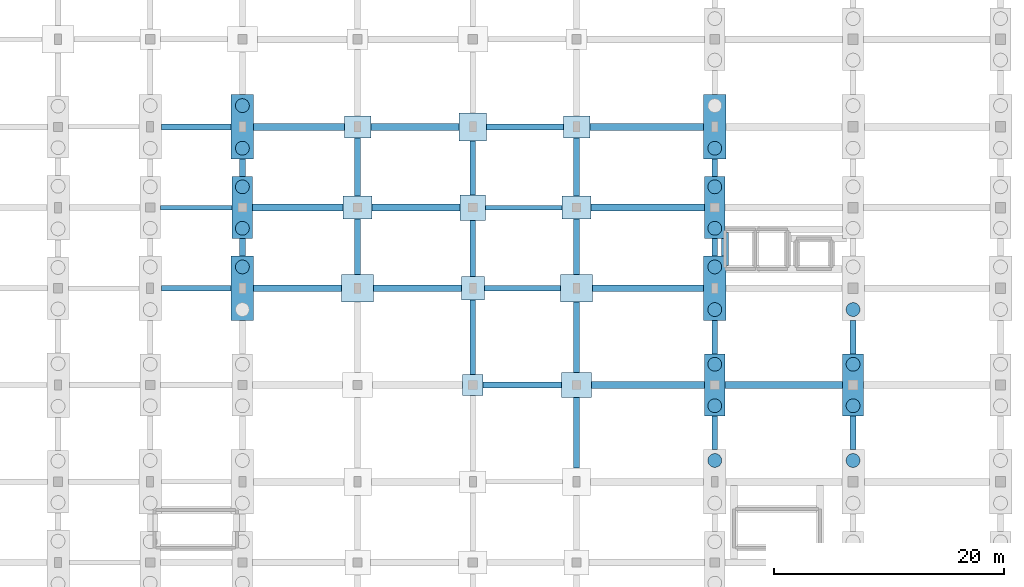
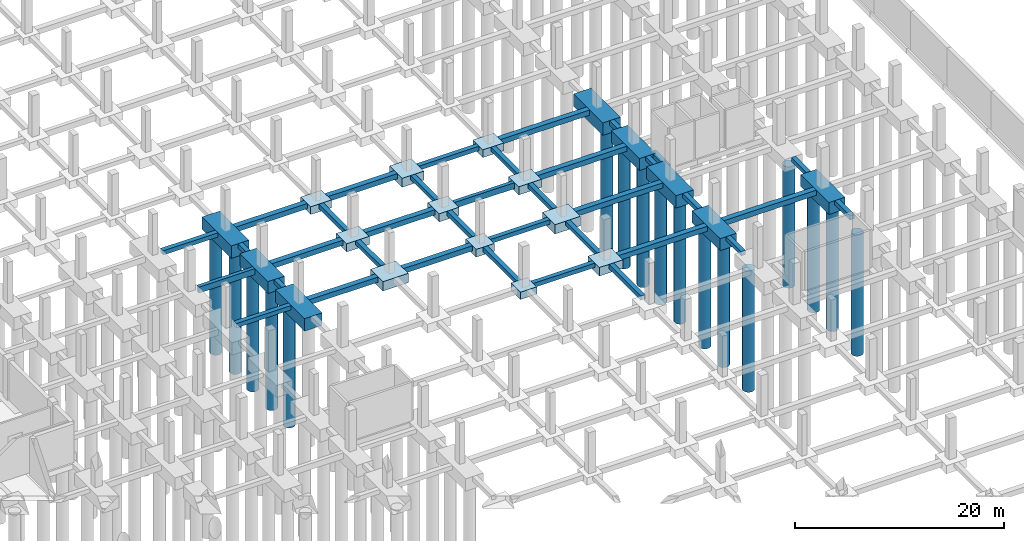
# One storey, part 21 of 50: 55 footings, 17 piles.
"""IFC4 building model written with IfcOpenShell, lengths in metres."""

from ifc_helpers import new_model, si_unit, direction, frame, origin, origin_2d, place, context, subcontext, project, spatial, polyline, rectangle, circle, outline, extrude, material, material_profile, profile_set, type_object, element, save


model = new_model("IFC4")

# Units and contexts
model_context = context("Model", 3, precision=1e-05, world=origin(), true_north=direction((0.0, 1.0)))
body_context = subcontext(model_context, "Body", "Model", "MODEL_VIEW")
ifc_project = project(units=[si_unit("LENGTHUNIT", "METRE"), si_unit("AREAUNIT", "SQUARE_METRE"), si_unit("VOLUMEUNIT", "CUBIC_METRE"), si_unit("PLANEANGLEUNIT", "RADIAN"), si_unit("MASSUNIT", "GRAM", prefix="KILO")], contexts=[model_context])

# Site, building, storey
site_placement = place(None, origin())
site = spatial("IfcSite", under=ifc_project, at=site_placement, CompositionType="ELEMENT")
building_placement = place(site_placement, origin())
building = spatial("IfcBuilding", under=site, at=building_placement, Name="Vekula Escarpment Museum", CompositionType="ELEMENT")
storey_placement = place(building_placement, frame((0.0, 0.0, -4.800048828125)))
storey = spatial("IfcBuildingStorey", under=building, at=storey_placement, Name="B1", CompositionType="ELEMENT", Elevation=-4.800048828125)

# Footings
ifc_material_1 = material(Name="Concrete C35/45", Category="concrete")
footing_type_1 = type_object("IfcFootingType", Name="FB-STRIP-600", PredefinedType="STRIP_FOOTING", material=ifc_material_1)
footing_1_placement = place(storey_placement, frame((0.0, 0.0, -0.599853515625)))
element("IfcFooting", 1, at=footing_1_placement, inside=storey, type_object=footing_type_1, Name="Lift Shaft Strip Footing LF-01 W", PredefinedType="STRIP_FOOTING", context=body_context, shape_type="SweptSolid", body=[
    extrude(outline(polyline([(168.179931640625, 78.384033203125), (167.97900390625, 78.384033203125), (167.97900390625, 79.2041015625), (167.580078125, 79.2041015625), (167.580078125, 80.696044921875), (167.904052734375, 80.696044921875), (167.904052734375, 81.216064453125), (168.179931640625, 81.216064453125), (168.179931640625, 78.384033203125)])), origin(), (0.0, 0.0, 1.0), 0.599853515625),
])
ifc_material_2 = material(Name="Concrete C35/45", Category="concrete")
ifc_material_profile_1 = material_profile(ifc_material_2, rectangle(XDim=0.39990234375, YDim=0.699951171875, at=origin_2d()), Name="RC 400x700")
ifc_profile_set_1 = profile_set([ifc_material_profile_1], Name="Concrete C35/45")
footing_type_2 = type_object("IfcFootingType", Name="FB-TIE-400x700", PredefinedType="FOOTING_BEAM", material=ifc_profile_set_1)
footing_2_placement = place(storey_placement, frame((118.89990234375, 83.39990234375, -0.349853515625), z_axis=(1.0, 0.0, 0.0), x_axis=(0.0, 1.0, 0.0)))
element("IfcFooting", 2, at=footing_2_placement, inside=storey, type_object=footing_type_2, Name="Foundation Tie Beam 249", PredefinedType="FOOTING_BEAM", context=body_context, shape_type="SweptSolid", body=[
    extrude(rectangle(XDim=0.39990234375, YDim=0.699951171875, at=origin_2d()), origin(), (0.0, 0.0, 1.0), 6.2001953125),
])
footing_3_placement = place(storey_placement, frame((147.10009765625, 83.39990234375, -0.349853515625), z_axis=(1.0, 0.0, 0.0), x_axis=(0.0, 1.0, 0.0)))
element("IfcFooting", 3, at=footing_3_placement, inside=storey, type_object=footing_type_2, Name="Foundation Tie Beam 252", PredefinedType="FOOTING_BEAM", context=body_context, shape_type="SweptSolid", body=[
    extrude(rectangle(XDim=0.39990234375, YDim=0.699951171875, at=origin_2d()), origin(), (0.0, 0.0, 1.0), 6.64990234375),
])
ifc_material_3 = material(Name="Concrete C35/45", Category="concrete")
ifc_material_profile_2 = material_profile(ifc_material_3, rectangle(XDim=0.5, YDim=0.5, at=origin_2d()), Name="RC 500x500")
ifc_profile_set_2 = profile_set([ifc_material_profile_2], Name="Concrete C35/45")
footing_type_3 = type_object("IfcFootingType", Name="FB-TIE-500x500", PredefinedType="FOOTING_BEAM", material=ifc_profile_set_2)
footing_4_placement = place(storey_placement, frame((146.89990234375, 68.0, -0.25), z_axis=(1.0, 0.0, 0.0), x_axis=(0.0, 1.0, 0.0)))
element("IfcFooting", 4, at=footing_4_placement, inside=storey, type_object=footing_type_3, Name="Foundation Tie Beam 206", PredefinedType="FOOTING_BEAM", context=body_context, shape_type="SweptSolid", body=[
    extrude(rectangle(XDim=0.5, YDim=0.5, at=origin_2d()), origin(), (0.0, 0.0, 1.0), 6.800048828125),
])
footing_5_placement = place(storey_placement, frame((118.97509765625, 76.39990234375, -0.25), z_axis=(1.0, 0.0, 0.0), x_axis=(0.0, 1.0, 0.0)))
element("IfcFooting", 5, at=footing_5_placement, inside=storey, type_object=footing_type_3, Name="Foundation Tie Beam 226", PredefinedType="FOOTING_BEAM", context=body_context, shape_type="SweptSolid", body=[
    extrude(rectangle(XDim=0.5, YDim=0.5, at=origin_2d()), origin(), (0.0, 0.0, 1.0), 6.0498046875),
])
footing_6_placement = place(storey_placement, frame((147.0, 76.39990234375, -0.25), z_axis=(1.0, 0.0, 0.0), x_axis=(0.0, 1.0, 0.0)))
element("IfcFooting", 6, at=footing_6_placement, inside=storey, type_object=footing_type_3, Name="Foundation Tie Beam 229", PredefinedType="FOOTING_BEAM", context=body_context, shape_type="SweptSolid", body=[
    extrude(rectangle(XDim=0.5, YDim=0.5, at=origin_2d()), origin(), (0.0, 0.0, 1.0), 6.60009765625),
])
footing_7_placement = place(storey_placement, frame((118.97509765625, 90.39990234375, -0.25), z_axis=(1.0, 0.0, 0.0), x_axis=(0.0, 1.0, 0.0)))
element("IfcFooting", 7, at=footing_7_placement, inside=storey, type_object=footing_type_3, Name="Foundation Tie Beam 268", PredefinedType="FOOTING_BEAM", context=body_context, shape_type="SweptSolid", body=[
    extrude(rectangle(XDim=0.5, YDim=0.5, at=origin_2d()), origin(), (0.0, 0.0, 1.0), 6.0498046875),
])
footing_8_placement = place(storey_placement, frame((147.199951171875, 90.39990234375, -0.25), z_axis=(1.0, 0.0, 0.0), x_axis=(0.0, 1.0, 0.0)))
element("IfcFooting", 8, at=footing_8_placement, inside=storey, type_object=footing_type_3, Name="Foundation Tie Beam 271", PredefinedType="FOOTING_BEAM", context=body_context, shape_type="SweptSolid", body=[
    extrude(rectangle(XDim=0.5, YDim=0.5, at=origin_2d()), origin(), (0.0, 0.0, 1.0), 6.650146484375),
])
for number, where, z_axis, x_axis, name in (
    (9, (126.0, 79.199951171875, -0.25), (0.0, 1.0, 0.0), (-1.0, 0.0, 0.0), "Foundation Tie Beam 674"),
    (10, (126.0, 86.10009765625, -0.25), (0.0, 1.0, 0.0), (-1.0, 0.0, 0.0), "Foundation Tie Beam 675"),
):
    element("IfcFooting", number, at=place(storey_placement, frame(where, z_axis=z_axis, x_axis=x_axis)), inside=storey, type_object=footing_type_3, Name=name, PredefinedType="FOOTING_BEAM", context=body_context, shape_type="SweptSolid", body=[
        extrude(rectangle(XDim=0.5, YDim=0.5, at=origin_2d()), origin(), (0.0, 0.0, 1.0), 1.5),
    ])
footing_9_placement = place(storey_placement, frame((136.0, 77.60009765625, -0.25), z_axis=(0.0, 1.0, 0.0), x_axis=(-1.0, 0.0, 0.0)))
element("IfcFooting", 11, at=footing_9_placement, inside=storey, type_object=footing_type_3, Name="Foundation Tie Beam 693", PredefinedType="FOOTING_BEAM", context=body_context, shape_type="SweptSolid", body=[
    extrude(rectangle(XDim=0.5, YDim=0.5, at=origin_2d()), origin(), (0.0, 0.0, 1.0), 4.7998046875),
])
footing_10_placement = place(storey_placement, frame((136.0, 84.39990234375, -0.25), z_axis=(0.0, 1.0, 0.0), x_axis=(-1.0, 0.0, 0.0)))
element("IfcFooting", 12, at=footing_10_placement, inside=storey, type_object=footing_type_3, Name="Foundation Tie Beam 694", PredefinedType="FOOTING_BEAM", context=body_context, shape_type="SweptSolid", body=[
    extrude(rectangle(XDim=0.5, YDim=0.5, at=origin_2d()), origin(), (0.0, 0.0, 1.0), 5.050048828125),
])
footing_11_placement = place(storey_placement, frame((146.0, 68.89990234375, -0.25), z_axis=(0.0, 1.0, 0.0), x_axis=(-1.0, 0.0, 0.0)))
element("IfcFooting", 13, at=footing_11_placement, inside=storey, type_object=footing_type_3, Name="Foundation Tie Beam 711", PredefinedType="FOOTING_BEAM", context=body_context, shape_type="SweptSolid", body=[
    extrude(rectangle(XDim=0.5, YDim=0.5, at=origin_2d()), origin(), (0.0, 0.0, 1.0), 6.5),
])
footing_12_placement = place(storey_placement, frame((146.0, 77.39990234375, -0.25), z_axis=(0.0, 1.0, 0.0), x_axis=(-1.0, 0.0, 0.0)))
element("IfcFooting", 14, at=footing_12_placement, inside=storey, type_object=footing_type_3, Name="Foundation Tie Beam 712", PredefinedType="FOOTING_BEAM", context=body_context, shape_type="SweptSolid", body=[
    extrude(rectangle(XDim=0.5, YDim=0.5, at=origin_2d()), origin(), (0.0, 0.0, 1.0), 4.900146484375),
])
footing_13_placement = place(storey_placement, frame((146.0, 84.5, -0.25), z_axis=(0.0, 1.0, 0.0), x_axis=(-1.0, 0.0, 0.0)))
element("IfcFooting", 15, at=footing_13_placement, inside=storey, type_object=footing_type_3, Name="Foundation Tie Beam 713", PredefinedType="FOOTING_BEAM", context=body_context, shape_type="SweptSolid", body=[
    extrude(rectangle(XDim=0.5, YDim=0.5, at=origin_2d()), origin(), (0.0, 0.0, 1.0), 4.699951171875),
])
for number, where, z_axis, x_axis, name in (
    (16, (155.0, 60.800048828125, -0.25), (0.0, 1.0, 0.0), (-1.0, 0.0, 0.0), "Foundation Tie Beam 729"),
    (17, (155.0, 69.10009765625, -0.25), (0.0, 1.0, 0.0), (-1.0, 0.0, 0.0), "Foundation Tie Beam 730"),
):
    element("IfcFooting", number, at=place(storey_placement, frame(where, z_axis=z_axis, x_axis=x_axis)), inside=storey, type_object=footing_type_3, Name=name, PredefinedType="FOOTING_BEAM", context=body_context, shape_type="SweptSolid", body=[
        extrude(rectangle(XDim=0.5, YDim=0.5, at=origin_2d()), origin(), (0.0, 0.0, 1.0), 6.099853515625),
    ])
footing_14_placement = place(storey_placement, frame((155.0, 77.60009765625, -0.25), z_axis=(0.0, 1.0, 0.0), x_axis=(-1.0, 0.0, 0.0)))
element("IfcFooting", 18, at=footing_14_placement, inside=storey, type_object=footing_type_3, Name="Foundation Tie Beam 731", PredefinedType="FOOTING_BEAM", context=body_context, shape_type="SweptSolid", body=[
    extrude(rectangle(XDim=0.5, YDim=0.5, at=origin_2d()), origin(), (0.0, 0.0, 1.0), 4.7998046875),
])
footing_15_placement = place(storey_placement, frame((155.0, 84.39990234375, -0.25), z_axis=(0.0, 1.0, 0.0), x_axis=(-1.0, 0.0, 0.0)))
element("IfcFooting", 19, at=footing_15_placement, inside=storey, type_object=footing_type_3, Name="Foundation Tie Beam 732", PredefinedType="FOOTING_BEAM", context=body_context, shape_type="SweptSolid", body=[
    extrude(rectangle(XDim=0.5, YDim=0.5, at=origin_2d()), origin(), (0.0, 0.0, 1.0), 5.050048828125),
])
for number, where, z_axis, x_axis, name in (
    (20, (167.0, 62.39990234375, -0.25), (0.0, 1.0, 0.0), (-1.0, 0.0, 0.0), "Foundation Tie Beam 748"),
    (21, (167.0, 70.699951171875, -0.25), (0.0, 1.0, 0.0), (-1.0, 0.0, 0.0), "Foundation Tie Beam 749"),
):
    element("IfcFooting", number, at=place(storey_placement, frame(where, z_axis=z_axis, x_axis=x_axis)), inside=storey, type_object=footing_type_3, Name=name, PredefinedType="FOOTING_BEAM", context=body_context, shape_type="SweptSolid", body=[
        extrude(rectangle(XDim=0.5, YDim=0.5, at=origin_2d()), origin(), (0.0, 0.0, 1.0), 2.900146484375),
    ])
for number, where, z_axis, x_axis, name in (
    (22, (167.0, 79.199951171875, -0.25), (0.0, 1.0, 0.0), (-1.0, 0.0, 0.0), "Foundation Tie Beam 750"),
    (23, (167.0, 86.10009765625, -0.25), (0.0, 1.0, 0.0), (-1.0, 0.0, 0.0), "Foundation Tie Beam 751"),
):
    element("IfcFooting", number, at=place(storey_placement, frame(where, z_axis=z_axis, x_axis=x_axis)), inside=storey, type_object=footing_type_3, Name=name, PredefinedType="FOOTING_BEAM", context=body_context, shape_type="SweptSolid", body=[
        extrude(rectangle(XDim=0.5, YDim=0.5, at=origin_2d()), origin(), (0.0, 0.0, 1.0), 1.5),
    ])
for number, where, z_axis, x_axis, name in (
    (24, (179.0, 62.39990234375, -0.25), (0.0, 1.0, 0.0), (-1.0, 0.0, 0.0), "Foundation Tie Beam 767"),
    (25, (179.0, 70.699951171875, -0.25), (0.0, 1.0, 0.0), (-1.0, 0.0, 0.0), "Foundation Tie Beam 768"),
):
    element("IfcFooting", number, at=place(storey_placement, frame(where, z_axis=z_axis, x_axis=x_axis)), inside=storey, type_object=footing_type_3, Name=name, PredefinedType="FOOTING_BEAM", context=body_context, shape_type="SweptSolid", body=[
        extrude(rectangle(XDim=0.5, YDim=0.5, at=origin_2d()), origin(), (0.0, 0.0, 1.0), 2.900146484375),
    ])
ifc_material_4 = material(Name="Concrete C35/45", Category="concrete")
ifc_material_profile_3 = material_profile(ifc_material_4, rectangle(XDim=0.60009765625, YDim=0.60009765625, at=origin_2d()), Name="RC 600x600")
ifc_profile_set_3 = profile_set([ifc_material_profile_3], Name="Concrete C35/45")
footing_type_4 = type_object("IfcFootingType", Name="FB-TIE-600x600", PredefinedType="FOOTING_BEAM", material=ifc_profile_set_3)
footing_16_placement = place(storey_placement, frame((156.300048828125, 68.0, -0.300048828125), z_axis=(1.0, 0.0, 0.0), x_axis=(0.0, 1.0, 0.0)))
element("IfcFooting", 26, at=footing_16_placement, inside=storey, type_object=footing_type_4, Name="Foundation Tie Beam 207", PredefinedType="FOOTING_BEAM", context=body_context, shape_type="SweptSolid", body=[
    extrude(rectangle(XDim=0.60009765625, YDim=0.60009765625, at=origin_2d()), origin(), (0.0, 0.0, 1.0), 9.800048828125),
])
footing_17_placement = place(storey_placement, frame((167.89990234375, 68.0, -0.300048828125), z_axis=(1.0, 0.0, 0.0), x_axis=(0.0, 1.0, 0.0)))
element("IfcFooting", 27, at=footing_17_placement, inside=storey, type_object=footing_type_4, Name="Foundation Tie Beam 208", PredefinedType="FOOTING_BEAM", context=body_context, shape_type="SweptSolid", body=[
    extrude(rectangle(XDim=0.60009765625, YDim=0.60009765625, at=origin_2d()), origin(), (0.0, 0.0, 1.0), 10.2001953125),
])
footing_18_placement = place(storey_placement, frame((126.97509765625, 76.39990234375, -0.300048828125), z_axis=(1.0, 0.0, 0.0), x_axis=(0.0, 1.0, 0.0)))
element("IfcFooting", 28, at=footing_18_placement, inside=storey, type_object=footing_type_4, Name="Foundation Tie Beam 227", PredefinedType="FOOTING_BEAM", context=body_context, shape_type="SweptSolid", body=[
    extrude(rectangle(XDim=0.60009765625, YDim=0.60009765625, at=origin_2d()), origin(), (0.0, 0.0, 1.0), 7.625),
])
footing_19_placement = place(storey_placement, frame((137.39990234375, 76.39990234375, -0.300048828125), z_axis=(1.0, 0.0, 0.0), x_axis=(0.0, 1.0, 0.0)))
element("IfcFooting", 29, at=footing_19_placement, inside=storey, type_object=footing_type_4, Name="Foundation Tie Beam 228", PredefinedType="FOOTING_BEAM", context=body_context, shape_type="SweptSolid", body=[
    extrude(rectangle(XDim=0.60009765625, YDim=0.60009765625, at=origin_2d()), origin(), (0.0, 0.0, 1.0), 7.60009765625),
])
footing_20_placement = place(storey_placement, frame((156.39990234375, 76.39990234375, -0.300048828125), z_axis=(1.0, 0.0, 0.0), x_axis=(0.0, 1.0, 0.0)))
element("IfcFooting", 30, at=footing_20_placement, inside=storey, type_object=footing_type_4, Name="Foundation Tie Beam 230", PredefinedType="FOOTING_BEAM", context=body_context, shape_type="SweptSolid", body=[
    extrude(rectangle(XDim=0.60009765625, YDim=0.60009765625, at=origin_2d()), origin(), (0.0, 0.0, 1.0), 9.625),
])
footing_21_placement = place(storey_placement, frame((126.89990234375, 83.39990234375, -0.300048828125), z_axis=(1.0, 0.0, 0.0), x_axis=(0.0, 1.0, 0.0)))
element("IfcFooting", 31, at=footing_21_placement, inside=storey, type_object=footing_type_4, Name="Foundation Tie Beam 250", PredefinedType="FOOTING_BEAM", context=body_context, shape_type="SweptSolid", body=[
    extrude(rectangle(XDim=0.60009765625, YDim=0.60009765625, at=origin_2d()), origin(), (0.0, 0.0, 1.0), 7.85009765625),
])
footing_22_placement = place(storey_placement, frame((137.25, 83.39990234375, -0.300048828125), z_axis=(1.0, 0.0, 0.0), x_axis=(0.0, 1.0, 0.0)))
element("IfcFooting", 32, at=footing_22_placement, inside=storey, type_object=footing_type_4, Name="Foundation Tie Beam 251", PredefinedType="FOOTING_BEAM", context=body_context, shape_type="SweptSolid", body=[
    extrude(rectangle(XDim=0.60009765625, YDim=0.60009765625, at=origin_2d()), origin(), (0.0, 0.0, 1.0), 7.64990234375),
])
footing_23_placement = place(storey_placement, frame((156.25, 83.39990234375, -0.300048828125), z_axis=(1.0, 0.0, 0.0), x_axis=(0.0, 1.0, 0.0)))
element("IfcFooting", 33, at=footing_23_placement, inside=storey, type_object=footing_type_4, Name="Foundation Tie Beam 253", PredefinedType="FOOTING_BEAM", context=body_context, shape_type="SweptSolid", body=[
    extrude(rectangle(XDim=0.60009765625, YDim=0.60009765625, at=origin_2d()), origin(), (0.0, 0.0, 1.0), 9.85009765625),
])
footing_24_placement = place(storey_placement, frame((126.97509765625, 90.39990234375, -0.300048828125), z_axis=(1.0, 0.0, 0.0), x_axis=(0.0, 1.0, 0.0)))
element("IfcFooting", 34, at=footing_24_placement, inside=storey, type_object=footing_type_4, Name="Foundation Tie Beam 269", PredefinedType="FOOTING_BEAM", context=body_context, shape_type="SweptSolid", body=[
    extrude(rectangle(XDim=0.60009765625, YDim=0.60009765625, at=origin_2d()), origin(), (0.0, 0.0, 1.0), 7.875),
])
footing_25_placement = place(storey_placement, frame((137.14990234375, 90.39990234375, -0.300048828125), z_axis=(1.0, 0.0, 0.0), x_axis=(0.0, 1.0, 0.0)))
element("IfcFooting", 35, at=footing_25_placement, inside=storey, type_object=footing_type_4, Name="Foundation Tie Beam 270", PredefinedType="FOOTING_BEAM", context=body_context, shape_type="SweptSolid", body=[
    extrude(rectangle(XDim=0.60009765625, YDim=0.60009765625, at=origin_2d()), origin(), (0.0, 0.0, 1.0), 7.650146484375),
])
footing_26_placement = place(storey_placement, frame((156.14990234375, 90.39990234375, -0.300048828125), z_axis=(1.0, 0.0, 0.0), x_axis=(0.0, 1.0, 0.0)))
element("IfcFooting", 36, at=footing_26_placement, inside=storey, type_object=footing_type_4, Name="Foundation Tie Beam 272", PredefinedType="FOOTING_BEAM", context=body_context, shape_type="SweptSolid", body=[
    extrude(rectangle(XDim=0.60009765625, YDim=0.60009765625, at=origin_2d()), origin(), (0.0, 0.0, 1.0), 9.875),
])
ifc_material_5 = material(Name="Concrete C35/45", Category="concrete")
footing_type_5 = type_object("IfcFootingType", Name="FC-PAD1", PredefinedType="PAD_FOOTING", material=ifc_material_5)
footing_27_placement = place(storey_placement, frame((0.0, 0.0, -0.849853515625)))
element("IfcFooting", 37, at=footing_27_placement, inside=storey, type_object=footing_type_5, Name="Foundation FC-PAD1 (146.0,68.0)", PredefinedType="PAD_FOOTING", context=body_context, shape_type="SweptSolid", body=[
    extrude(outline(polyline([(145.10009765625, 67.10009765625), (146.89990234375, 67.10009765625), (146.89990234375, 68.89990234375), (145.10009765625, 68.89990234375), (145.10009765625, 67.10009765625)])), origin(), (0.0, 0.0, 1.0), 0.849853515625),
])
ifc_material_6 = material(Name="Concrete C35/45", Category="concrete")
footing_type_6 = type_object("IfcFootingType", Name="FC-PAD2", PredefinedType="PAD_FOOTING", material=ifc_material_6)
footing_28_placement = place(storey_placement, frame((0.0, 0.0, -0.89990234375)))
element("IfcFooting", 38, at=footing_28_placement, inside=storey, type_object=footing_type_6, Name="Foundation FC-PAD2 (146.0,76.4)", PredefinedType="PAD_FOOTING", context=body_context, shape_type="SweptSolid", body=[
    extrude(outline(polyline([(145.0, 75.39990234375), (147.0, 75.39990234375), (147.0, 77.39990234375), (145.0, 77.39990234375), (145.0, 75.39990234375)])), origin(), (0.0, 0.0, 1.0), 0.89990234375),
])
ifc_material_7 = material(Name="Concrete C35/45", Category="concrete")
footing_type_7 = type_object("IfcFootingType", Name="FC-PAD3", PredefinedType="PAD_FOOTING", material=ifc_material_7)
footing_29_placement = place(storey_placement, frame((0.0, 0.0, -0.949951171875)))
element("IfcFooting", 39, at=footing_29_placement, inside=storey, type_object=footing_type_7, Name="Foundation FC-PAD3 (146.0,83.4)", PredefinedType="PAD_FOOTING", context=body_context, shape_type="SweptSolid", body=[
    extrude(outline(polyline([(144.89990234375, 82.300048828125), (147.10009765625, 82.300048828125), (147.10009765625, 84.5), (144.89990234375, 84.5), (144.89990234375, 82.300048828125)])), origin(), (0.0, 0.0, 1.0), 0.949951171875),
])
ifc_material_8 = material(Name="Concrete C35/45", Category="concrete")
footing_type_8 = type_object("IfcFootingType", Name="FC-PAD4", PredefinedType="PAD_FOOTING", material=ifc_material_8)
footing_30_placement = place(storey_placement, frame((0.0, 0.0, -1.050048828125)))
element("IfcFooting", 40, at=footing_30_placement, inside=storey, type_object=footing_type_8, Name="Foundation FC-PAD4 (146.0,90.4)", PredefinedType="PAD_FOOTING", context=body_context, shape_type="SweptSolid", body=[
    extrude(outline(polyline([(144.800048828125, 89.199951171875), (147.199951171875, 89.199951171875), (147.199951171875, 91.60009765625), (144.800048828125, 91.60009765625), (144.800048828125, 89.199951171875)])), origin(), (0.0, 0.0, 1.0), 1.050048828125),
])
ifc_material_9 = material(Name="Concrete C35/45", Category="concrete")
footing_type_9 = type_object("IfcFootingType", Name="FC-PAD5", PredefinedType="PAD_FOOTING", material=ifc_material_9)
footing_31_placement = place(storey_placement, frame((0.0, 0.0, -1.0)))
element("IfcFooting", 41, at=footing_31_placement, inside=storey, type_object=footing_type_9, Name="Foundation FC-PAD5 (155.0,68.0)", PredefinedType="PAD_FOOTING", context=body_context, shape_type="SweptSolid", body=[
    extrude(outline(polyline([(153.699951171875, 66.89990234375), (156.300048828125, 66.89990234375), (156.300048828125, 69.10009765625), (153.699951171875, 69.10009765625), (153.699951171875, 66.89990234375)])), origin(), (0.0, 0.0, 1.0), 1.0),
])
ifc_material_10 = material(Name="Concrete C35/45", Category="concrete")
footing_type_10 = type_object("IfcFootingType", Name="FC-PAD6", PredefinedType="PAD_FOOTING", material=ifc_material_10)
footing_32_placement = place(storey_placement, frame((0.0, 0.0, -1.099853515625)))
element("IfcFooting", 42, at=footing_32_placement, inside=storey, type_object=footing_type_10, Name="Foundation FC-PAD6 (136.0,76.4)", PredefinedType="PAD_FOOTING", context=body_context, shape_type="SweptSolid", body=[
    extrude(outline(polyline([(134.60009765625, 75.199951171875), (137.39990234375, 75.199951171875), (137.39990234375, 77.60009765625), (134.60009765625, 77.60009765625), (134.60009765625, 75.199951171875)])), origin(), (0.0, 0.0, 1.0), 1.099853515625),
])
footing_33_placement = place(storey_placement, frame((0.0, 0.0, -1.099853515625)))
element("IfcFooting", 43, at=footing_33_placement, inside=storey, type_object=footing_type_10, Name="Foundation FC-PAD6 (155.0,76.4)", PredefinedType="PAD_FOOTING", context=body_context, shape_type="SweptSolid", body=[
    extrude(outline(polyline([(153.60009765625, 75.199951171875), (156.39990234375, 75.199951171875), (156.39990234375, 77.60009765625), (153.60009765625, 77.60009765625), (153.60009765625, 75.199951171875)])), origin(), (0.0, 0.0, 1.0), 1.099853515625),
])
ifc_material_11 = material(Name="Concrete C35/45", Category="concrete")
footing_type_11 = type_object("IfcFootingType", Name="FC-PAD7", PredefinedType="PAD_FOOTING", material=ifc_material_11)
footing_34_placement = place(storey_placement, frame((0.0, 0.0, -0.949951171875)))
element("IfcFooting", 44, at=footing_34_placement, inside=storey, type_object=footing_type_11, Name="Foundation FC-PAD7 (136.0,83.4)", PredefinedType="PAD_FOOTING", context=body_context, shape_type="SweptSolid", body=[
    extrude(outline(polyline([(134.75, 82.39990234375), (137.25, 82.39990234375), (137.25, 84.39990234375), (134.75, 84.39990234375), (134.75, 82.39990234375)])), origin(), (0.0, 0.0, 1.0), 0.949951171875),
])
footing_35_placement = place(storey_placement, frame((0.0, 0.0, -0.949951171875)))
element("IfcFooting", 45, at=footing_35_placement, inside=storey, type_object=footing_type_11, Name="Foundation FC-PAD7 (155.0,83.4)", PredefinedType="PAD_FOOTING", context=body_context, shape_type="SweptSolid", body=[
    extrude(outline(polyline([(153.75, 82.39990234375), (156.25, 82.39990234375), (156.25, 84.39990234375), (153.75, 84.39990234375), (153.75, 82.39990234375)])), origin(), (0.0, 0.0, 1.0), 0.949951171875),
])
ifc_material_12 = material(Name="Concrete C35/45", Category="concrete")
footing_type_12 = type_object("IfcFootingType", Name="FC-PAD8", PredefinedType="PAD_FOOTING", material=ifc_material_12)
footing_36_placement = place(storey_placement, frame((0.0, 0.0, -0.89990234375)))
element("IfcFooting", 46, at=footing_36_placement, inside=storey, type_object=footing_type_12, Name="Foundation FC-PAD8 (136.0,90.4)", PredefinedType="PAD_FOOTING", context=body_context, shape_type="SweptSolid", body=[
    extrude(outline(polyline([(134.85009765625, 89.449951171875), (137.14990234375, 89.449951171875), (137.14990234375, 91.35009765625), (134.85009765625, 91.35009765625), (134.85009765625, 89.449951171875)])), origin(), (0.0, 0.0, 1.0), 0.89990234375),
])
footing_37_placement = place(storey_placement, frame((0.0, 0.0, -0.89990234375)))
element("IfcFooting", 47, at=footing_37_placement, inside=storey, type_object=footing_type_12, Name="Foundation FC-PAD8 (155.0,90.4)", PredefinedType="PAD_FOOTING", context=body_context, shape_type="SweptSolid", body=[
    extrude(outline(polyline([(153.85009765625, 89.449951171875), (156.14990234375, 89.449951171875), (156.14990234375, 91.35009765625), (153.85009765625, 91.35009765625), (153.85009765625, 89.449951171875)])), origin(), (0.0, 0.0, 1.0), 0.89990234375),
])
ifc_material_13 = material(Name="Concrete C35/45", Category="concrete")
footing_type_13 = type_object("IfcFootingType", Name="FC-PC2Y-HA", PredefinedType="PILE_CAP", material=ifc_material_13)
footing_38_placement = place(storey_placement, frame((0.0, 0.0, -1.39990234375)))
element("IfcFooting", 48, at=footing_38_placement, inside=storey, type_object=footing_type_13, Name="Foundation FC-PC2Y-HA (126.0,83.4)", PredefinedType="PILE_CAP", context=body_context, shape_type="SweptSolid", body=[
    extrude(outline(polyline([(125.10009765625, 80.699951171875), (126.89990234375, 80.699951171875), (126.89990234375, 86.10009765625), (125.10009765625, 86.10009765625), (125.10009765625, 80.699951171875)])), origin(), (0.0, 0.0, 1.0), 1.39990234375),
])
footing_39_placement = place(storey_placement, frame((0.0, 0.0, -1.39990234375)))
element("IfcFooting", 49, at=footing_39_placement, inside=storey, type_object=footing_type_13, Name="Foundation FC-PC2Y-HA (167.0,68.0)", PredefinedType="PILE_CAP", context=body_context, shape_type="SweptSolid", body=[
    extrude(outline(polyline([(166.10009765625, 65.300048828125), (167.89990234375, 65.300048828125), (167.89990234375, 70.699951171875), (166.10009765625, 70.699951171875), (166.10009765625, 65.300048828125)])), origin(), (0.0, 0.0, 1.0), 1.39990234375),
])
footing_40_placement = place(storey_placement, frame((0.0, 0.0, -1.39990234375)))
element("IfcFooting", 50, at=footing_40_placement, inside=storey, type_object=footing_type_13, Name="Foundation FC-PC2Y-HA (167.0,83.4)", PredefinedType="PILE_CAP", context=body_context, shape_type="SweptSolid", body=[
    extrude(outline(polyline([(166.10009765625, 80.699951171875), (167.89990234375, 80.699951171875), (167.89990234375, 86.10009765625), (166.10009765625, 86.10009765625), (166.10009765625, 80.699951171875)])), origin(), (0.0, 0.0, 1.0), 1.39990234375),
])
footing_41_placement = place(storey_placement, frame((0.0, 0.0, -1.39990234375)))
element("IfcFooting", 51, at=footing_41_placement, inside=storey, type_object=footing_type_13, Name="Foundation FC-PC2Y-HA (179.0,68.0)", PredefinedType="PILE_CAP", context=body_context, shape_type="SweptSolid", body=[
    extrude(outline(polyline([(178.10009765625, 65.300048828125), (179.89990234375, 65.300048828125), (179.89990234375, 70.699951171875), (178.10009765625, 70.699951171875), (178.10009765625, 65.300048828125)])), origin(), (0.0, 0.0, 1.0), 1.39990234375),
])
ifc_material_14 = material(Name="Concrete C35/45", Category="concrete")
footing_type_14 = type_object("IfcFootingType", Name="FC-PC2Y-HB", PredefinedType="PILE_CAP", material=ifc_material_14)
footing_42_placement = place(storey_placement, frame((0.0, 0.0, -1.449951171875)))
element("IfcFooting", 52, at=footing_42_placement, inside=storey, type_object=footing_type_14, Name="Foundation FC-PC2Y-HB (126.0,76.4)", PredefinedType="PILE_CAP", context=body_context, shape_type="SweptSolid", body=[
    extrude(outline(polyline([(125.02490234375, 73.60009765625), (126.97509765625, 73.60009765625), (126.97509765625, 79.199951171875), (125.02490234375, 79.199951171875), (125.02490234375, 73.60009765625)])), origin(), (0.0, 0.0, 1.0), 1.449951171875),
])
footing_43_placement = place(storey_placement, frame((0.0, 0.0, -1.449951171875)))
element("IfcFooting", 53, at=footing_43_placement, inside=storey, type_object=footing_type_14, Name="Foundation FC-PC2Y-HB (126.0,90.4)", PredefinedType="PILE_CAP", context=body_context, shape_type="SweptSolid", body=[
    extrude(outline(polyline([(125.02490234375, 87.60009765625), (126.97509765625, 87.60009765625), (126.97509765625, 93.199951171875), (125.02490234375, 93.199951171875), (125.02490234375, 87.60009765625)])), origin(), (0.0, 0.0, 1.0), 1.449951171875),
])
footing_44_placement = place(storey_placement, frame((0.0, 0.0, -1.449951171875)))
element("IfcFooting", 54, at=footing_44_placement, inside=storey, type_object=footing_type_14, Name="Foundation FC-PC2Y-HB (167.0,76.4)", PredefinedType="PILE_CAP", context=body_context, shape_type="SweptSolid", body=[
    extrude(outline(polyline([(166.02490234375, 73.60009765625), (167.97509765625, 73.60009765625), (167.97509765625, 79.199951171875), (166.02490234375, 79.199951171875), (166.02490234375, 73.60009765625)])), origin(), (0.0, 0.0, 1.0), 1.449951171875),
])
footing_45_placement = place(storey_placement, frame((0.0, 0.0, -1.449951171875)))
element("IfcFooting", 55, at=footing_45_placement, inside=storey, type_object=footing_type_14, Name="Foundation FC-PC2Y-HB (167.0,90.4)", PredefinedType="PILE_CAP", context=body_context, shape_type="SweptSolid", body=[
    extrude(outline(polyline([(166.02490234375, 87.60009765625), (167.97509765625, 87.60009765625), (167.97509765625, 93.199951171875), (166.02490234375, 93.199951171875), (166.02490234375, 87.60009765625)])), origin(), (0.0, 0.0, 1.0), 1.449951171875),
])

# Piles
ifc_material_15 = material(Name="Concrete C35/45", Category="concrete")
ifc_material_profile_4 = material_profile(ifc_material_15, circle(Radius=0.60009765625, at=origin_2d()), Name="BORED PILE 1200")
ifc_profile_set_4 = profile_set([ifc_material_profile_4], Name="Concrete C35/45")
pile_type = type_object("IfcPileType", Name="PILE-B1200", PredefinedType="BORED", material=ifc_profile_set_4)
pile_1_placement = place(storey_placement, frame((126.0, 78.25, -1.349853515625), z_axis=(0.0, 0.0, -1.0), x_axis=(1.0, 0.0, 0.0)))
element("IfcPile", 56, at=pile_1_placement, inside=storey, type_object=pile_type, Name="Bored Pile (126.0,78.2)", PredefinedType="BORED", context=body_context, shape_type="SweptSolid", body=[
    extrude(circle(Radius=0.60009765625, at=origin_2d()), origin(), (0.0, 0.0, 1.0), 14.14990234375),
])
for number, where, z_axis, x_axis, name in (
    (57, (126.0, 81.60009765625, -1.300048828125), (0.0, 0.0, -1.0), (1.0, 0.0, 0.0), "Bored Pile (126.0,81.6)"),
    (58, (126.0, 85.199951171875, -1.300048828125), (0.0, 0.0, -1.0), (1.0, 0.0, 0.0), "Bored Pile (126.0,85.2)"),
):
    element("IfcPile", number, at=place(storey_placement, frame(where, z_axis=z_axis, x_axis=x_axis)), inside=storey, type_object=pile_type, Name=name, PredefinedType="BORED", context=body_context, shape_type="SweptSolid", body=[
        extrude(circle(Radius=0.60009765625, at=origin_2d()), origin(), (0.0, 0.0, 1.0), 14.199951171875),
    ])
for number, where, z_axis, x_axis, name in (
    (59, (126.0, 88.550048828125, -1.349853515625), (0.0, 0.0, -1.0), (1.0, 0.0, 0.0), "Bored Pile (126.0,88.6)"),
    (60, (126.0, 92.25, -1.349853515625), (0.0, 0.0, -1.0), (1.0, 0.0, 0.0), "Bored Pile (126.0,92.2)"),
    (61, (167.0, 61.449951171875, -1.349853515625), (0.0, 0.0, -1.0), (1.0, 0.0, 0.0), "Bored Pile (167.0,61.5)"),
):
    element("IfcPile", number, at=place(storey_placement, frame(where, z_axis=z_axis, x_axis=x_axis)), inside=storey, type_object=pile_type, Name=name, PredefinedType="BORED", context=body_context, shape_type="SweptSolid", body=[
        extrude(circle(Radius=0.60009765625, at=origin_2d()), origin(), (0.0, 0.0, 1.0), 14.14990234375),
    ])
for number, where, z_axis, x_axis, name in (
    (62, (167.0, 66.199951171875, -1.300048828125), (0.0, 0.0, -1.0), (1.0, 0.0, 0.0), "Bored Pile (167.0,66.2)"),
    (63, (167.0, 69.800048828125, -1.300048828125), (0.0, 0.0, -1.0), (1.0, 0.0, 0.0), "Bored Pile (167.0,69.8)"),
):
    element("IfcPile", number, at=place(storey_placement, frame(where, z_axis=z_axis, x_axis=x_axis)), inside=storey, type_object=pile_type, Name=name, PredefinedType="BORED", context=body_context, shape_type="SweptSolid", body=[
        extrude(circle(Radius=0.60009765625, at=origin_2d()), origin(), (0.0, 0.0, 1.0), 14.199951171875),
    ])
for number, where, z_axis, x_axis, name in (
    (64, (167.0, 74.550048828125, -1.349853515625), (0.0, 0.0, -1.0), (1.0, 0.0, 0.0), "Bored Pile (167.0,74.6)"),
    (65, (167.0, 78.25, -1.349853515625), (0.0, 0.0, -1.0), (1.0, 0.0, 0.0), "Bored Pile (167.0,78.2)"),
):
    element("IfcPile", number, at=place(storey_placement, frame(where, z_axis=z_axis, x_axis=x_axis)), inside=storey, type_object=pile_type, Name=name, PredefinedType="BORED", context=body_context, shape_type="SweptSolid", body=[
        extrude(circle(Radius=0.60009765625, at=origin_2d()), origin(), (0.0, 0.0, 1.0), 14.14990234375),
    ])
for number, where, z_axis, x_axis, name in (
    (66, (167.0, 81.60009765625, -1.300048828125), (0.0, 0.0, -1.0), (1.0, 0.0, 0.0), "Bored Pile (167.0,81.6)"),
    (67, (167.0, 85.199951171875, -1.300048828125), (0.0, 0.0, -1.0), (1.0, 0.0, 0.0), "Bored Pile (167.0,85.2)"),
):
    element("IfcPile", number, at=place(storey_placement, frame(where, z_axis=z_axis, x_axis=x_axis)), inside=storey, type_object=pile_type, Name=name, PredefinedType="BORED", context=body_context, shape_type="SweptSolid", body=[
        extrude(circle(Radius=0.60009765625, at=origin_2d()), origin(), (0.0, 0.0, 1.0), 14.199951171875),
    ])
for number, where, z_axis, x_axis, name in (
    (68, (167.0, 88.550048828125, -1.349853515625), (0.0, 0.0, -1.0), (1.0, 0.0, 0.0), "Bored Pile (167.0,88.6)"),
    (69, (179.0, 61.449951171875, -1.349853515625), (0.0, 0.0, -1.0), (1.0, 0.0, 0.0), "Bored Pile (179.0,61.5)"),
):
    element("IfcPile", number, at=place(storey_placement, frame(where, z_axis=z_axis, x_axis=x_axis)), inside=storey, type_object=pile_type, Name=name, PredefinedType="BORED", context=body_context, shape_type="SweptSolid", body=[
        extrude(circle(Radius=0.60009765625, at=origin_2d()), origin(), (0.0, 0.0, 1.0), 14.14990234375),
    ])
for number, where, z_axis, x_axis, name in (
    (70, (179.0, 66.199951171875, -1.300048828125), (0.0, 0.0, -1.0), (1.0, 0.0, 0.0), "Bored Pile (179.0,66.2)"),
    (71, (179.0, 69.800048828125, -1.300048828125), (0.0, 0.0, -1.0), (1.0, 0.0, 0.0), "Bored Pile (179.0,69.8)"),
):
    element("IfcPile", number, at=place(storey_placement, frame(where, z_axis=z_axis, x_axis=x_axis)), inside=storey, type_object=pile_type, Name=name, PredefinedType="BORED", context=body_context, shape_type="SweptSolid", body=[
        extrude(circle(Radius=0.60009765625, at=origin_2d()), origin(), (0.0, 0.0, 1.0), 14.199951171875),
    ])
pile_2_placement = place(storey_placement, frame((179.0, 74.550048828125, -1.349853515625), z_axis=(0.0, 0.0, -1.0), x_axis=(1.0, 0.0, 0.0)))
element("IfcPile", 72, at=pile_2_placement, inside=storey, type_object=pile_type, Name="Bored Pile (179.0,74.6)", PredefinedType="BORED", context=body_context, shape_type="SweptSolid", body=[
    extrude(circle(Radius=0.60009765625, at=origin_2d()), origin(), (0.0, 0.0, 1.0), 14.14990234375),
])

save(model, "model.ifc")
